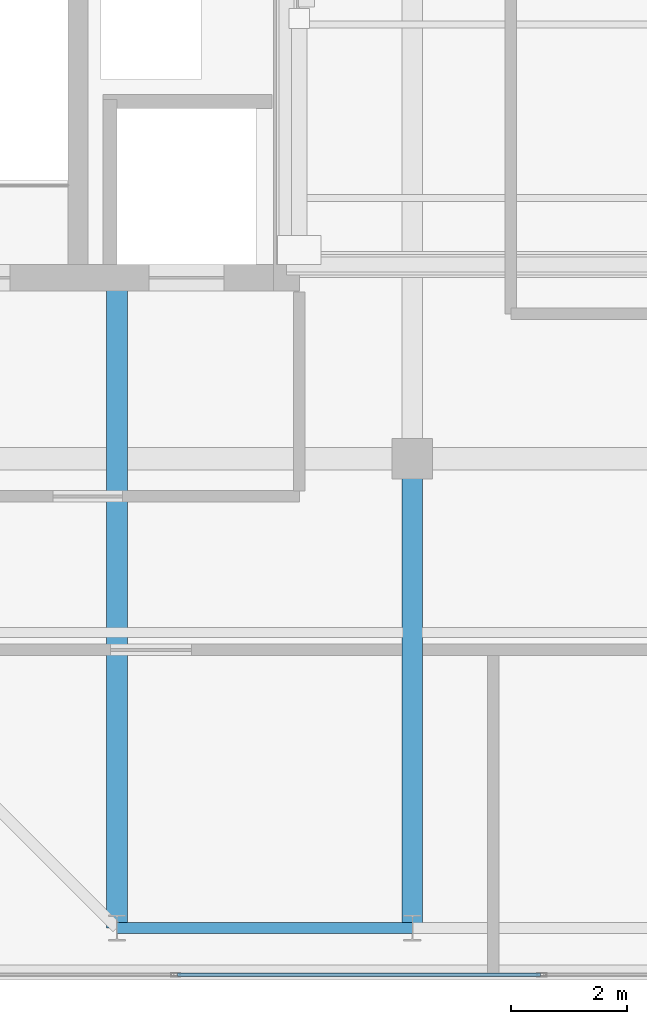
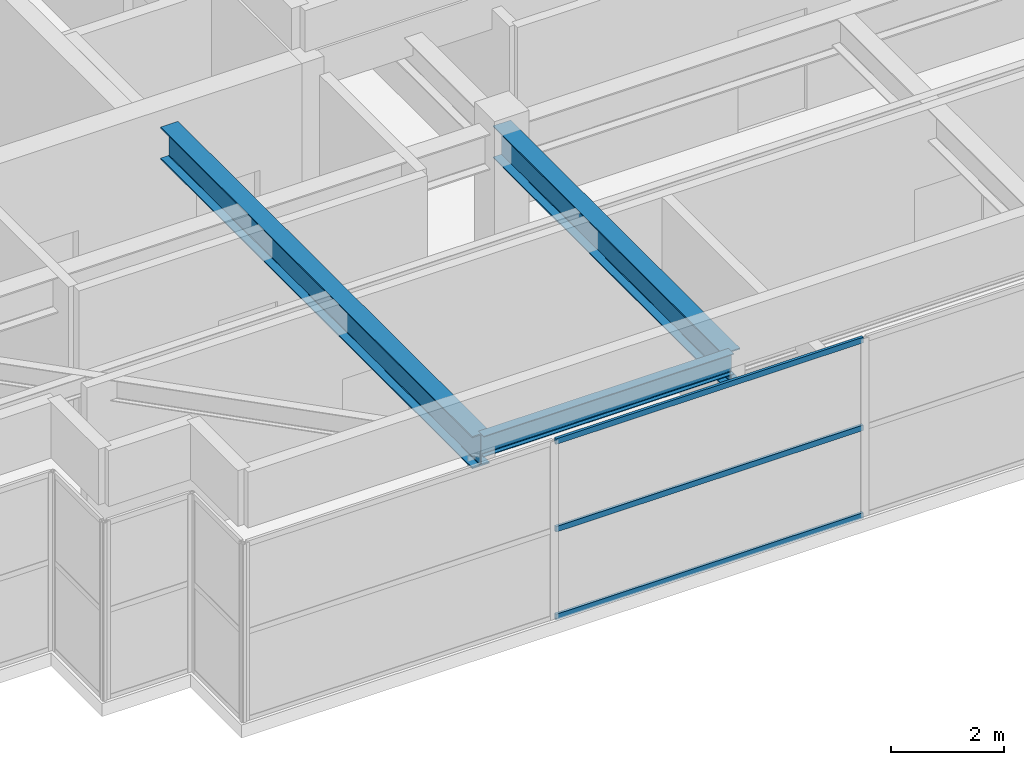
# One storey, part 4 of 33: 3 beams, 3 members, 1 element without a shape of its own.
"""IFC4 building model written with IfcOpenShell, lengths in metres."""

from ifc_helpers import new_model, si_unit, direction, frame, origin, origin_2d, place, context, subcontext, project, spatial, hollow_rectangle, i_section, extrude, source, transform, mapped, material, layer, layer_set, material_profile, profile_set, type_object, element, aggregate, save


model = new_model("IFC4")

# Units and contexts
model_context = context("Model", 3, precision=1e-05, world=origin(), true_north=direction((0.0, 1.0)))
body_context = subcontext(model_context, "Body", "Model", "MODEL_VIEW")
ifc_project = project(units=[si_unit("LENGTHUNIT", "METRE"), si_unit("AREAUNIT", "SQUARE_METRE"), si_unit("VOLUMEUNIT", "CUBIC_METRE"), si_unit("PLANEANGLEUNIT", "RADIAN"), si_unit("MASSUNIT", "GRAM", prefix="KILO")], contexts=[model_context])

# Site, building, storey
site_placement = place(None, origin())
site = spatial("IfcSite", under=ifc_project, at=site_placement, CompositionType="ELEMENT")
building_placement = place(site_placement, origin())
building = spatial("IfcBuilding", under=site, at=building_placement, Name="Khoralis Quay Care Tower", CompositionType="ELEMENT")
storey_placement = place(building_placement, frame((0.0, 0.0, 314.699951171875)))
storey = spatial("IfcBuildingStorey", under=building, at=storey_placement, Name="L82", CompositionType="ELEMENT", Elevation=314.699951171875)

# Beams
ifc_material_1 = material(Name="Steel S355", Category="steel")
ifc_material_profile_1 = material_profile(ifc_material_1, i_section(OverallWidth=0.18994140625, OverallDepth=0.449951171875, WebThickness=0.009521484375, FlangeThickness=0.0146484375, FilletRadius=0.02099609375, at=origin_2d()), Name="Steel S355")
ifc_profile_set_1 = profile_set([ifc_material_profile_1], Name="Steel S355")
beam_type_1 = type_object("IfcBeamType", Name="BM-IPE450", PredefinedType="SPANDREL", material=ifc_profile_set_1)
shared_shape_1 = source(origin(), body_context, "Body", "SweptSolid", [
    extrude(i_section(OverallWidth=0.18994140625, OverallDepth=0.449951171875, WebThickness=0.009521484375, FlangeThickness=0.0146484375, FilletRadius=0.02099609375, at=origin_2d()), origin(), (0.0, 0.0, 1.0), 5.10009765625),
])
beam_1_placement = place(storey_placement, frame((12.0, 3.89990234375, 3.614990234375), z_axis=(1.0, 0.0, 0.0), x_axis=(0.0, 1.0, 0.0)))
element("IfcBeam", 1, at=beam_1_placement, inside=storey, type_object=beam_type_1, Name="BM-TSP-L82-01", PredefinedType="SPANDREL", context=body_context, shape_type="MappedRepresentation", body=[
    mapped(shared_shape_1, transform((0.0, 0.0, 0.0), scale=1.0)),
])
ifc_material_profile_2 = material_profile(ifc_material_1, i_section(OverallWidth=0.35498046875, OverallDepth=0.695068359375, WebThickness=0.015380859375, FlangeThickness=0.02490234375, FilletRadius=0.02001953125, at=origin_2d()), Name="Steel S355")
ifc_profile_set_2 = profile_set([ifc_material_profile_2], Name="Steel S355")
beam_type_2 = type_object("IfcBeamType", Name="BM-W690X217", PredefinedType="BEAM", material=ifc_profile_set_2)
shared_shape_2 = source(origin(), body_context, "Body", "SweptSolid", [
    extrude(i_section(OverallWidth=0.35498046875, OverallDepth=0.695068359375, WebThickness=0.015380859375, FlangeThickness=0.02490234375, FilletRadius=0.02001953125, at=origin_2d()), origin(), (0.0, 0.0, 1.0), 11.002197265625),
])
beam_2_placement = place(storey_placement, frame((12.0, 3.89990234375, 3.492431640625), z_axis=(0.0, 1.0, 0.0), x_axis=(-1.0, 0.0, 0.0)))
element("IfcBeam", 2, at=beam_2_placement, inside=storey, type_object=beam_type_2, Name="BM-TGYS-L82-120", PredefinedType="BEAM", context=body_context, shape_type="MappedRepresentation", body=[
    mapped(shared_shape_2, transform((0.0, 0.0, 0.0), scale=1.0)),
])
shared_shape_3 = source(origin(), body_context, "Body", "SweptSolid", [
    extrude(i_section(OverallWidth=0.35498046875, OverallDepth=0.695068359375, WebThickness=0.015380859375, FlangeThickness=0.02490234375, FilletRadius=0.02001953125, at=origin_2d()), origin(), (0.0, 0.0, 1.0), 8.10009765625),
])
beam_3_placement = place(storey_placement, frame((17.10009765625, 3.89990234375, 3.492431640625), z_axis=(0.0, 1.0, 0.0), x_axis=(-1.0, 0.0, 0.0)))
element("IfcBeam", 3, at=beam_3_placement, inside=storey, type_object=beam_type_2, Name="BM-TGYS-L82-171", PredefinedType="BEAM", context=body_context, shape_type="MappedRepresentation", body=[
    mapped(shared_shape_3, transform((0.0, 0.0, 0.0), scale=1.0)),
])

# Curtain wall, members
ifc_material_2 = material(Name="Pale anodised aluminium", Category="aluminium")
ifc_layer = layer(ifc_material_2, 0.199951171875)
ifc_layer_set = layer_set([ifc_layer], Name="Pale anodised aluminium")
curtain_wall_type = type_object("IfcCurtainWallType", Name="CW-SYS-LANTERN", PredefinedType="NOTDEFINED", material=ifc_layer_set)
curtain_wall_placement = place(storey_placement, origin())
curtain_wall = element("IfcCurtainWall", 4, at=curtain_wall_placement, inside=storey, type_object=curtain_wall_type, Name="L82 Unitised Curtain Wall CW-LN-L82-01", PredefinedType="NOTDEFINED")
ifc_material_profile_3 = material_profile(ifc_material_2, hollow_rectangle(XDim=0.054931640625, YDim=0.1201171875, WallThickness=0.00390625, at=origin_2d()), Name="Pale anodised aluminium")
ifc_profile_set_3 = profile_set([ifc_material_profile_3], Name="Pale anodised aluminium")
member_type = type_object("IfcMemberType", Name="CW-TRN-120", PredefinedType="USERDEFINED", material=ifc_profile_set_3)
shared_shape_4 = source(origin(), body_context, "Body", "SweptSolid", [
    extrude(hollow_rectangle(XDim=0.054931640625, YDim=0.1201171875, WallThickness=0.00390625, at=origin_2d()), origin(), (0.0, 0.0, 1.0), 6.26416015625),
])
member_1_placement = place(storey_placement, frame((13.0439453125, 3.090087890625, 0.030029296875), z_axis=(1.0, 0.0, 0.0), x_axis=(0.0, 1.0, 0.0)))
member_1 = element("IfcMember", 5, at=member_1_placement, type_object=member_type, Name="CW5 transom 2.1", ObjectType="TRANSOM", PredefinedType="USERDEFINED", context=body_context, shape_type="MappedRepresentation", body=[
    mapped(shared_shape_4, transform((0.0, 0.0, 0.0), scale=1.0)),
])
member_2_placement = place(storey_placement, frame((13.0439453125, 3.090087890625, 1.920166015625), z_axis=(1.0, 0.0, 0.0), x_axis=(0.0, 1.0, 0.0)))
member_2 = element("IfcMember", 6, at=member_2_placement, type_object=member_type, Name="CW5 transom 2.2", ObjectType="TRANSOM", PredefinedType="USERDEFINED", context=body_context, shape_type="MappedRepresentation", body=[
    mapped(shared_shape_4, transform((0.0, 0.0, 0.0), scale=1.0)),
])
member_3_placement = place(storey_placement, frame((13.0439453125, 3.090087890625, 3.81005859375), z_axis=(1.0, 0.0, 0.0), x_axis=(0.0, 1.0, 0.0)))
member_3 = element("IfcMember", 7, at=member_3_placement, type_object=member_type, Name="CW5 transom 2.3", ObjectType="TRANSOM", PredefinedType="USERDEFINED", context=body_context, shape_type="MappedRepresentation", body=[
    mapped(shared_shape_4, transform((0.0, 0.0, 0.0), scale=1.0)),
])
aggregate(curtain_wall, [member_1, member_2, member_3])

save(model, "model.ifc")
